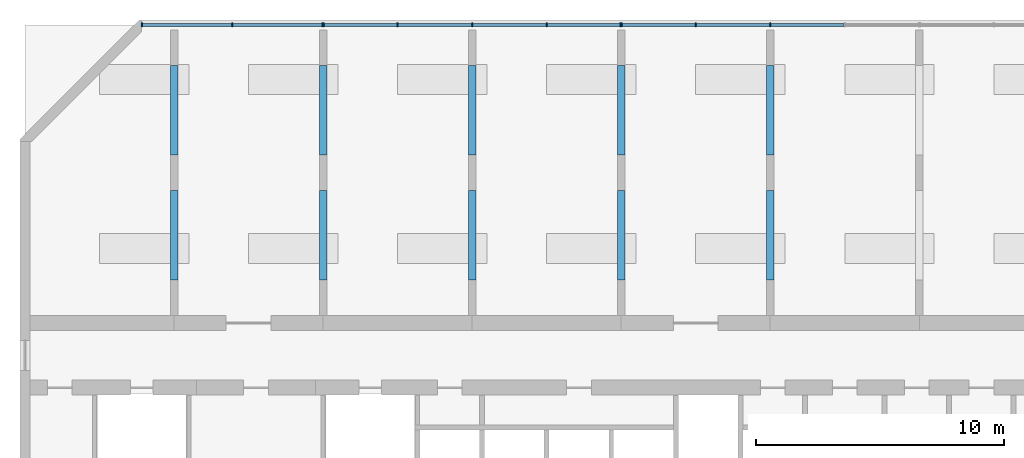
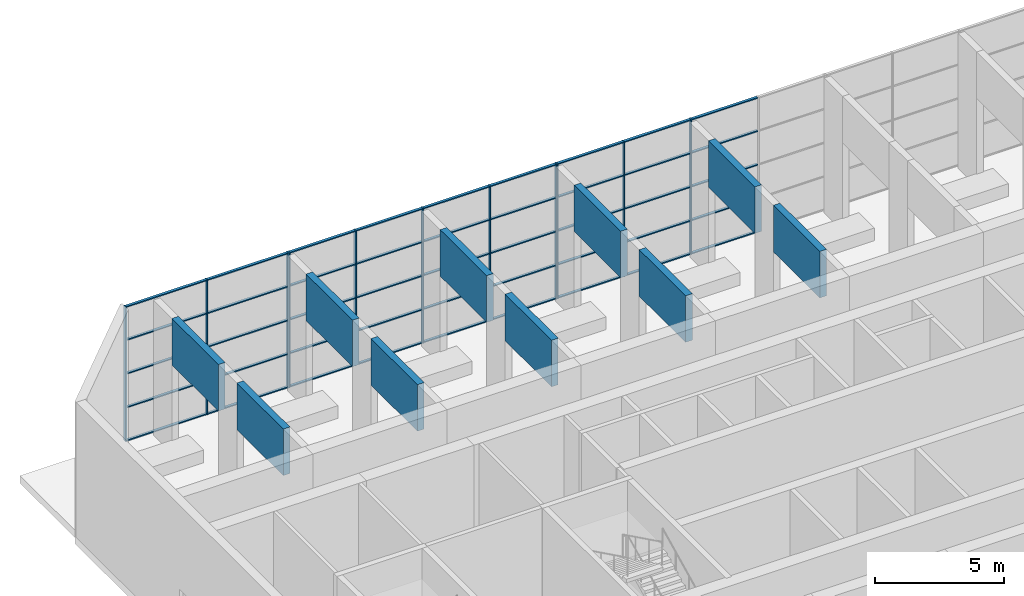
# One storey, part 1 of 13: 56 members, 10 beams, 3 elements without a shape of their own.
"""IFC4 building model written with IfcOpenShell, lengths in metres."""

from ifc_helpers import new_model, si_unit, direction, frame, origin, origin_2d, place, context, subcontext, project, spatial, rectangle, extrude, source, transform, mapped, material, layer, layer_set, material_profile, profile_set, type_object, element, aggregate, save


model = new_model("IFC4")

# Units and contexts
model_context = context("Model", 3, precision=1e-05, world=origin(), true_north=direction((0.0, 1.0)))
body_context = subcontext(model_context, "Body", "Model", "MODEL_VIEW")
ifc_project = project(units=[si_unit("LENGTHUNIT", "METRE"), si_unit("AREAUNIT", "SQUARE_METRE"), si_unit("VOLUMEUNIT", "CUBIC_METRE"), si_unit("PLANEANGLEUNIT", "RADIAN"), si_unit("MASSUNIT", "GRAM", prefix="KILO")], contexts=[model_context])

# Site, building, storey
site_placement = place(None, origin())
site = spatial("IfcSite", under=ifc_project, at=site_placement, CompositionType="ELEMENT")
building_placement = place(site_placement, origin())
building = spatial("IfcBuilding", under=site, at=building_placement, Name="Poui Terraces", CompositionType="ELEMENT")
storey_placement = place(building_placement, frame((0.0, 0.0, 165.300048828125)))
storey = spatial("IfcBuildingStorey", under=building, at=storey_placement, Name="L46", CompositionType="ELEMENT", Elevation=165.300048828125)

# Curtain wall, members
ifc_material_1 = material(Name="Clear glass", Category="glass")
ifc_layer = layer(ifc_material_1, 0.159912109375)
ifc_layer_set = layer_set([ifc_layer], Name="Clear glass")
curtain_wall_type = type_object("IfcCurtainWallType", Name="CURTAIN WALL CW-D SKY GARDEN GLAZING", PredefinedType="NOTDEFINED", material=ifc_layer_set)
curtain_wall_1_placement = place(storey_placement, origin())
curtain_wall_1 = element("IfcCurtainWall", 1, at=curtain_wall_1_placement, inside=storey, type_object=curtain_wall_type, Name="CW-D SKY GARDEN GLAZING", PredefinedType="NOTDEFINED")
ifc_material_2 = material(Name="Aluminium frame", Category="aluminium")
ifc_material_profile_1 = material_profile(ifc_material_2, rectangle(XDim=0.159912109375, YDim=0.050048828125, at=origin_2d()), Name="CW-D MULLION 50X160")
ifc_profile_set_1 = profile_set([ifc_material_profile_1], Name="Aluminium frame")
member_type_1 = type_object("IfcMemberType", Name="CW-D MULLION 50X160", PredefinedType="MULLION", material=ifc_profile_set_1)
member_1_placement = place(storey_placement, frame((29.97509765625, 42.39990234375, 0.0), z_axis=(0.0, 0.0, 1.0), x_axis=(0.0, -1.0, 0.0)))
member_1 = element("IfcMember", 2, at=member_1_placement, type_object=member_type_1, Name="CW-D mullion 1", PredefinedType="MULLION", context=body_context, shape_type="SweptSolid", body=[
    extrude(rectangle(XDim=0.159912109375, YDim=0.050048828125, at=origin_2d()), origin(), (0.0, 0.0, 1.0), 6.3798828125),
])
member_2_placement = place(storey_placement, frame((26.34130859375, 42.39990234375, 0.0), z_axis=(0.0, 0.0, 1.0), x_axis=(0.0, -1.0, 0.0)))
member_2 = element("IfcMember", 3, at=member_2_placement, type_object=member_type_1, Name="CW-D mullion 2", PredefinedType="MULLION", context=body_context, shape_type="SweptSolid", body=[
    extrude(rectangle(XDim=0.159912109375, YDim=0.050048828125, at=origin_2d()), origin(), (0.0, 0.0, 1.0), 6.3798828125),
])
member_3_placement = place(storey_placement, frame((22.707763671875, 42.39990234375, 0.0), z_axis=(0.0, 0.0, 1.0), x_axis=(0.0, -1.0, 0.0)))
member_3 = element("IfcMember", 4, at=member_3_placement, type_object=member_type_1, Name="CW-D mullion 3", PredefinedType="MULLION", context=body_context, shape_type="SweptSolid", body=[
    extrude(rectangle(XDim=0.159912109375, YDim=0.050048828125, at=origin_2d()), origin(), (0.0, 0.0, 1.0), 6.3798828125),
])

curtain_wall_2_placement = place(storey_placement, origin())
curtain_wall_2 = element("IfcCurtainWall", 5, at=curtain_wall_2_placement, inside=storey, type_object=curtain_wall_type, Name="CW-D SKY GARDEN GLAZING", PredefinedType="NOTDEFINED")
member_4_placement = place(storey_placement, frame((41.97509765625, 42.39990234375, 0.0), z_axis=(0.0, 0.0, 1.0), x_axis=(0.0, -1.0, 0.0)))
member_4 = element("IfcMember", 6, at=member_4_placement, type_object=member_type_1, Name="CW-D mullion 1", PredefinedType="MULLION", context=body_context, shape_type="SweptSolid", body=[
    extrude(rectangle(XDim=0.159912109375, YDim=0.050048828125, at=origin_2d()), origin(), (0.0, 0.0, 1.0), 6.3798828125),
])
member_5_placement = place(storey_placement, frame((39.0, 42.39990234375, 0.0), z_axis=(0.0, 0.0, 1.0), x_axis=(0.0, -1.0, 0.0)))
member_5 = element("IfcMember", 7, at=member_5_placement, type_object=member_type_1, Name="CW-D mullion 2", PredefinedType="MULLION", context=body_context, shape_type="SweptSolid", body=[
    extrude(rectangle(XDim=0.159912109375, YDim=0.050048828125, at=origin_2d()), origin(), (0.0, 0.0, 1.0), 6.3798828125),
])
member_6_placement = place(storey_placement, frame((36.0, 42.39990234375, 0.0), z_axis=(0.0, 0.0, 1.0), x_axis=(0.0, -1.0, 0.0)))
member_6 = element("IfcMember", 8, at=member_6_placement, type_object=member_type_1, Name="CW-D mullion 3", PredefinedType="MULLION", context=body_context, shape_type="SweptSolid", body=[
    extrude(rectangle(XDim=0.159912109375, YDim=0.050048828125, at=origin_2d()), origin(), (0.0, 0.0, 1.0), 6.3798828125),
])
member_7_placement = place(storey_placement, frame((33.0, 42.39990234375, 0.0), z_axis=(0.0, 0.0, 1.0), x_axis=(0.0, -1.0, 0.0)))
member_7 = element("IfcMember", 9, at=member_7_placement, type_object=member_type_1, Name="CW-D mullion 4", PredefinedType="MULLION", context=body_context, shape_type="SweptSolid", body=[
    extrude(rectangle(XDim=0.159912109375, YDim=0.050048828125, at=origin_2d()), origin(), (0.0, 0.0, 1.0), 6.3798828125),
])
member_8_placement = place(storey_placement, frame((30.02490234375, 42.39990234375, 0.0), z_axis=(0.0, 0.0, 1.0), x_axis=(0.0, -1.0, 0.0)))
member_8 = element("IfcMember", 10, at=member_8_placement, type_object=member_type_1, Name="CW-D mullion 5", PredefinedType="MULLION", context=body_context, shape_type="SweptSolid", body=[
    extrude(rectangle(XDim=0.159912109375, YDim=0.050048828125, at=origin_2d()), origin(), (0.0, 0.0, 1.0), 6.3798828125),
])

curtain_wall_3_placement = place(storey_placement, origin())
curtain_wall_3 = element("IfcCurtainWall", 11, at=curtain_wall_3_placement, inside=storey, type_object=curtain_wall_type, Name="CW-D SKY GARDEN GLAZING", PredefinedType="NOTDEFINED")
member_9_placement = place(storey_placement, frame((48.0, 42.39990234375, 0.0), z_axis=(0.0, 0.0, 1.0), x_axis=(0.0, -1.0, 0.0)))
member_9 = element("IfcMember", 12, at=member_9_placement, type_object=member_type_1, Name="CW-D mullion 3", PredefinedType="MULLION", context=body_context, shape_type="SweptSolid", body=[
    extrude(rectangle(XDim=0.159912109375, YDim=0.050048828125, at=origin_2d()), origin(), (0.0, 0.0, 1.0), 6.3798828125),
])
member_10_placement = place(storey_placement, frame((45.0, 42.39990234375, 0.0), z_axis=(0.0, 0.0, 1.0), x_axis=(0.0, -1.0, 0.0)))
member_10 = element("IfcMember", 13, at=member_10_placement, type_object=member_type_1, Name="CW-D mullion 4", PredefinedType="MULLION", context=body_context, shape_type="SweptSolid", body=[
    extrude(rectangle(XDim=0.159912109375, YDim=0.050048828125, at=origin_2d()), origin(), (0.0, 0.0, 1.0), 6.3798828125),
])
member_11_placement = place(storey_placement, frame((42.02490234375, 42.39990234375, 0.0), z_axis=(0.0, 0.0, 1.0), x_axis=(0.0, -1.0, 0.0)))
member_11 = element("IfcMember", 14, at=member_11_placement, type_object=member_type_1, Name="CW-D mullion 5", PredefinedType="MULLION", context=body_context, shape_type="SweptSolid", body=[
    extrude(rectangle(XDim=0.159912109375, YDim=0.050048828125, at=origin_2d()), origin(), (0.0, 0.0, 1.0), 6.3798828125),
])

# Member
ifc_material_profile_2 = material_profile(ifc_material_2, rectangle(XDim=0.1201171875, YDim=0.050048828125, at=origin_2d()), Name="CW-D TRANSOM 50X120")
ifc_profile_set_2 = profile_set([ifc_material_profile_2], Name="Aluminium frame")
member_type_2 = type_object("IfcMemberType", Name="CW-D TRANSOM 50X120", PredefinedType="USERDEFINED", material=ifc_profile_set_2)
member_12_placement = place(storey_placement, frame((29.949951171875, 42.39990234375, 0.02490234375), z_axis=(-1.0, 0.0, 0.0), x_axis=(0.0, -1.0, 0.0)))
member_12 = element("IfcMember", 15, at=member_12_placement, type_object=member_type_2, Name="CW-D transom 1.1", ObjectType="TRANSOM", PredefinedType="USERDEFINED", context=body_context, shape_type="SweptSolid", body=[
    extrude(rectangle(XDim=0.1201171875, YDim=0.050048828125, at=origin_2d()), origin(), (0.0, 0.0, 1.0), 3.58349609375),
])

member_13_placement = place(storey_placement, frame((29.949951171875, 42.39990234375, 1.594970703125), z_axis=(-1.0, 0.0, 0.0), x_axis=(0.0, -1.0, 0.0)))
member_13 = element("IfcMember", 16, at=member_13_placement, type_object=member_type_2, Name="CW-D transom 1.2", ObjectType="TRANSOM", PredefinedType="USERDEFINED", context=body_context, shape_type="SweptSolid", body=[
    extrude(rectangle(XDim=0.1201171875, YDim=0.050048828125, at=origin_2d()), origin(), (0.0, 0.0, 1.0), 3.58349609375),
])

member_14_placement = place(storey_placement, frame((29.949951171875, 42.39990234375, 3.18994140625), z_axis=(-1.0, 0.0, 0.0), x_axis=(0.0, -1.0, 0.0)))
member_14 = element("IfcMember", 17, at=member_14_placement, type_object=member_type_2, Name="CW-D transom 1.3", ObjectType="TRANSOM", PredefinedType="USERDEFINED", context=body_context, shape_type="SweptSolid", body=[
    extrude(rectangle(XDim=0.1201171875, YDim=0.050048828125, at=origin_2d()), origin(), (0.0, 0.0, 1.0), 3.58349609375),
])

member_15_placement = place(storey_placement, frame((29.949951171875, 42.39990234375, 4.784912109375), z_axis=(-1.0, 0.0, 0.0), x_axis=(0.0, -1.0, 0.0)))
member_15 = element("IfcMember", 18, at=member_15_placement, type_object=member_type_2, Name="CW-D transom 1.4", ObjectType="TRANSOM", PredefinedType="USERDEFINED", context=body_context, shape_type="SweptSolid", body=[
    extrude(rectangle(XDim=0.1201171875, YDim=0.050048828125, at=origin_2d()), origin(), (0.0, 0.0, 1.0), 3.58349609375),
])

member_16_placement = place(storey_placement, frame((29.949951171875, 42.39990234375, 6.35498046875), z_axis=(-1.0, 0.0, 0.0), x_axis=(0.0, -1.0, 0.0)))
member_16 = element("IfcMember", 19, at=member_16_placement, type_object=member_type_2, Name="CW-D transom 1.5", ObjectType="TRANSOM", PredefinedType="USERDEFINED", context=body_context, shape_type="SweptSolid", body=[
    extrude(rectangle(XDim=0.1201171875, YDim=0.050048828125, at=origin_2d()), origin(), (0.0, 0.0, 1.0), 3.58349609375),
])

member_17_placement = place(storey_placement, frame((26.31640625, 42.39990234375, 0.02490234375), z_axis=(-1.0, 0.0, 0.0), x_axis=(0.0, -1.0, 0.0)))
member_17 = element("IfcMember", 20, at=member_17_placement, type_object=member_type_2, Name="CW-D transom 2.1", ObjectType="TRANSOM", PredefinedType="USERDEFINED", context=body_context, shape_type="SweptSolid", body=[
    extrude(rectangle(XDim=0.1201171875, YDim=0.050048828125, at=origin_2d()), origin(), (0.0, 0.0, 1.0), 3.58349609375),
])

member_18_placement = place(storey_placement, frame((26.31640625, 42.39990234375, 1.594970703125), z_axis=(-1.0, 0.0, 0.0), x_axis=(0.0, -1.0, 0.0)))
member_18 = element("IfcMember", 21, at=member_18_placement, type_object=member_type_2, Name="CW-D transom 2.2", ObjectType="TRANSOM", PredefinedType="USERDEFINED", context=body_context, shape_type="SweptSolid", body=[
    extrude(rectangle(XDim=0.1201171875, YDim=0.050048828125, at=origin_2d()), origin(), (0.0, 0.0, 1.0), 3.58349609375),
])

member_19_placement = place(storey_placement, frame((26.31640625, 42.39990234375, 3.18994140625), z_axis=(-1.0, 0.0, 0.0), x_axis=(0.0, -1.0, 0.0)))
member_19 = element("IfcMember", 22, at=member_19_placement, type_object=member_type_2, Name="CW-D transom 2.3", ObjectType="TRANSOM", PredefinedType="USERDEFINED", context=body_context, shape_type="SweptSolid", body=[
    extrude(rectangle(XDim=0.1201171875, YDim=0.050048828125, at=origin_2d()), origin(), (0.0, 0.0, 1.0), 3.58349609375),
])

member_20_placement = place(storey_placement, frame((26.31640625, 42.39990234375, 4.784912109375), z_axis=(-1.0, 0.0, 0.0), x_axis=(0.0, -1.0, 0.0)))
member_20 = element("IfcMember", 23, at=member_20_placement, type_object=member_type_2, Name="CW-D transom 2.4", ObjectType="TRANSOM", PredefinedType="USERDEFINED", context=body_context, shape_type="SweptSolid", body=[
    extrude(rectangle(XDim=0.1201171875, YDim=0.050048828125, at=origin_2d()), origin(), (0.0, 0.0, 1.0), 3.58349609375),
])

member_21_placement = place(storey_placement, frame((26.31640625, 42.39990234375, 6.35498046875), z_axis=(-1.0, 0.0, 0.0), x_axis=(0.0, -1.0, 0.0)))
member_21 = element("IfcMember", 24, at=member_21_placement, type_object=member_type_2, Name="CW-D transom 2.5", ObjectType="TRANSOM", PredefinedType="USERDEFINED", context=body_context, shape_type="SweptSolid", body=[
    extrude(rectangle(XDim=0.1201171875, YDim=0.050048828125, at=origin_2d()), origin(), (0.0, 0.0, 1.0), 3.58349609375),
])

aggregate(curtain_wall_1, [member_1, member_2, member_3, member_12, member_13, member_14, member_15, member_16, member_17, member_18, member_19, member_20, member_21])

member_22_placement = place(storey_placement, frame((41.949951171875, 42.39990234375, 0.02490234375), z_axis=(-1.0, 0.0, 0.0), x_axis=(0.0, -1.0, 0.0)))
member_22 = element("IfcMember", 25, at=member_22_placement, type_object=member_type_2, Name="CW-D transom 1.1", ObjectType="TRANSOM", PredefinedType="USERDEFINED", context=body_context, shape_type="SweptSolid", body=[
    extrude(rectangle(XDim=0.1201171875, YDim=0.050048828125, at=origin_2d()), origin(), (0.0, 0.0, 1.0), 2.925048828125),
])

member_23_placement = place(storey_placement, frame((41.949951171875, 42.39990234375, 1.594970703125), z_axis=(-1.0, 0.0, 0.0), x_axis=(0.0, -1.0, 0.0)))
member_23 = element("IfcMember", 26, at=member_23_placement, type_object=member_type_2, Name="CW-D transom 1.2", ObjectType="TRANSOM", PredefinedType="USERDEFINED", context=body_context, shape_type="SweptSolid", body=[
    extrude(rectangle(XDim=0.1201171875, YDim=0.050048828125, at=origin_2d()), origin(), (0.0, 0.0, 1.0), 2.925048828125),
])

member_24_placement = place(storey_placement, frame((41.949951171875, 42.39990234375, 3.18994140625), z_axis=(-1.0, 0.0, 0.0), x_axis=(0.0, -1.0, 0.0)))
member_24 = element("IfcMember", 27, at=member_24_placement, type_object=member_type_2, Name="CW-D transom 1.3", ObjectType="TRANSOM", PredefinedType="USERDEFINED", context=body_context, shape_type="SweptSolid", body=[
    extrude(rectangle(XDim=0.1201171875, YDim=0.050048828125, at=origin_2d()), origin(), (0.0, 0.0, 1.0), 2.925048828125),
])

member_25_placement = place(storey_placement, frame((41.949951171875, 42.39990234375, 4.784912109375), z_axis=(-1.0, 0.0, 0.0), x_axis=(0.0, -1.0, 0.0)))
member_25 = element("IfcMember", 28, at=member_25_placement, type_object=member_type_2, Name="CW-D transom 1.4", ObjectType="TRANSOM", PredefinedType="USERDEFINED", context=body_context, shape_type="SweptSolid", body=[
    extrude(rectangle(XDim=0.1201171875, YDim=0.050048828125, at=origin_2d()), origin(), (0.0, 0.0, 1.0), 2.925048828125),
])

member_26_placement = place(storey_placement, frame((41.949951171875, 42.39990234375, 6.35498046875), z_axis=(-1.0, 0.0, 0.0), x_axis=(0.0, -1.0, 0.0)))
member_26 = element("IfcMember", 29, at=member_26_placement, type_object=member_type_2, Name="CW-D transom 1.5", ObjectType="TRANSOM", PredefinedType="USERDEFINED", context=body_context, shape_type="SweptSolid", body=[
    extrude(rectangle(XDim=0.1201171875, YDim=0.050048828125, at=origin_2d()), origin(), (0.0, 0.0, 1.0), 2.925048828125),
])

member_27_placement = place(storey_placement, frame((38.97509765625, 42.39990234375, 0.02490234375), z_axis=(-1.0, 0.0, 0.0), x_axis=(0.0, -1.0, 0.0)))
member_27 = element("IfcMember", 30, at=member_27_placement, type_object=member_type_2, Name="CW-D transom 2.1", ObjectType="TRANSOM", PredefinedType="USERDEFINED", context=body_context, shape_type="SweptSolid", body=[
    extrude(rectangle(XDim=0.1201171875, YDim=0.050048828125, at=origin_2d()), origin(), (0.0, 0.0, 1.0), 2.9501953125),
])

member_28_placement = place(storey_placement, frame((38.97509765625, 42.39990234375, 1.594970703125), z_axis=(-1.0, 0.0, 0.0), x_axis=(0.0, -1.0, 0.0)))
member_28 = element("IfcMember", 31, at=member_28_placement, type_object=member_type_2, Name="CW-D transom 2.2", ObjectType="TRANSOM", PredefinedType="USERDEFINED", context=body_context, shape_type="SweptSolid", body=[
    extrude(rectangle(XDim=0.1201171875, YDim=0.050048828125, at=origin_2d()), origin(), (0.0, 0.0, 1.0), 2.9501953125),
])

member_29_placement = place(storey_placement, frame((38.97509765625, 42.39990234375, 3.18994140625), z_axis=(-1.0, 0.0, 0.0), x_axis=(0.0, -1.0, 0.0)))
member_29 = element("IfcMember", 32, at=member_29_placement, type_object=member_type_2, Name="CW-D transom 2.3", ObjectType="TRANSOM", PredefinedType="USERDEFINED", context=body_context, shape_type="SweptSolid", body=[
    extrude(rectangle(XDim=0.1201171875, YDim=0.050048828125, at=origin_2d()), origin(), (0.0, 0.0, 1.0), 2.9501953125),
])

member_30_placement = place(storey_placement, frame((38.97509765625, 42.39990234375, 4.784912109375), z_axis=(-1.0, 0.0, 0.0), x_axis=(0.0, -1.0, 0.0)))
member_30 = element("IfcMember", 33, at=member_30_placement, type_object=member_type_2, Name="CW-D transom 2.4", ObjectType="TRANSOM", PredefinedType="USERDEFINED", context=body_context, shape_type="SweptSolid", body=[
    extrude(rectangle(XDim=0.1201171875, YDim=0.050048828125, at=origin_2d()), origin(), (0.0, 0.0, 1.0), 2.9501953125),
])

member_31_placement = place(storey_placement, frame((38.97509765625, 42.39990234375, 6.35498046875), z_axis=(-1.0, 0.0, 0.0), x_axis=(0.0, -1.0, 0.0)))
member_31 = element("IfcMember", 34, at=member_31_placement, type_object=member_type_2, Name="CW-D transom 2.5", ObjectType="TRANSOM", PredefinedType="USERDEFINED", context=body_context, shape_type="SweptSolid", body=[
    extrude(rectangle(XDim=0.1201171875, YDim=0.050048828125, at=origin_2d()), origin(), (0.0, 0.0, 1.0), 2.9501953125),
])

member_32_placement = place(storey_placement, frame((35.97509765625, 42.39990234375, 0.02490234375), z_axis=(-1.0, 0.0, 0.0), x_axis=(0.0, -1.0, 0.0)))
member_32 = element("IfcMember", 35, at=member_32_placement, type_object=member_type_2, Name="CW-D transom 3.1", ObjectType="TRANSOM", PredefinedType="USERDEFINED", context=body_context, shape_type="SweptSolid", body=[
    extrude(rectangle(XDim=0.1201171875, YDim=0.050048828125, at=origin_2d()), origin(), (0.0, 0.0, 1.0), 2.9501953125),
])

member_33_placement = place(storey_placement, frame((35.97509765625, 42.39990234375, 1.594970703125), z_axis=(-1.0, 0.0, 0.0), x_axis=(0.0, -1.0, 0.0)))
member_33 = element("IfcMember", 36, at=member_33_placement, type_object=member_type_2, Name="CW-D transom 3.2", ObjectType="TRANSOM", PredefinedType="USERDEFINED", context=body_context, shape_type="SweptSolid", body=[
    extrude(rectangle(XDim=0.1201171875, YDim=0.050048828125, at=origin_2d()), origin(), (0.0, 0.0, 1.0), 2.9501953125),
])

member_34_placement = place(storey_placement, frame((35.97509765625, 42.39990234375, 3.18994140625), z_axis=(-1.0, 0.0, 0.0), x_axis=(0.0, -1.0, 0.0)))
member_34 = element("IfcMember", 37, at=member_34_placement, type_object=member_type_2, Name="CW-D transom 3.3", ObjectType="TRANSOM", PredefinedType="USERDEFINED", context=body_context, shape_type="SweptSolid", body=[
    extrude(rectangle(XDim=0.1201171875, YDim=0.050048828125, at=origin_2d()), origin(), (0.0, 0.0, 1.0), 2.9501953125),
])

member_35_placement = place(storey_placement, frame((35.97509765625, 42.39990234375, 4.784912109375), z_axis=(-1.0, 0.0, 0.0), x_axis=(0.0, -1.0, 0.0)))
member_35 = element("IfcMember", 38, at=member_35_placement, type_object=member_type_2, Name="CW-D transom 3.4", ObjectType="TRANSOM", PredefinedType="USERDEFINED", context=body_context, shape_type="SweptSolid", body=[
    extrude(rectangle(XDim=0.1201171875, YDim=0.050048828125, at=origin_2d()), origin(), (0.0, 0.0, 1.0), 2.9501953125),
])

member_36_placement = place(storey_placement, frame((35.97509765625, 42.39990234375, 6.35498046875), z_axis=(-1.0, 0.0, 0.0), x_axis=(0.0, -1.0, 0.0)))
member_36 = element("IfcMember", 39, at=member_36_placement, type_object=member_type_2, Name="CW-D transom 3.5", ObjectType="TRANSOM", PredefinedType="USERDEFINED", context=body_context, shape_type="SweptSolid", body=[
    extrude(rectangle(XDim=0.1201171875, YDim=0.050048828125, at=origin_2d()), origin(), (0.0, 0.0, 1.0), 2.9501953125),
])

member_37_placement = place(storey_placement, frame((32.97509765625, 42.39990234375, 0.02490234375), z_axis=(-1.0, 0.0, 0.0), x_axis=(0.0, -1.0, 0.0)))
member_37 = element("IfcMember", 40, at=member_37_placement, type_object=member_type_2, Name="CW-D transom 4.1", ObjectType="TRANSOM", PredefinedType="USERDEFINED", context=body_context, shape_type="SweptSolid", body=[
    extrude(rectangle(XDim=0.1201171875, YDim=0.050048828125, at=origin_2d()), origin(), (0.0, 0.0, 1.0), 2.925048828125),
])

member_38_placement = place(storey_placement, frame((32.97509765625, 42.39990234375, 1.594970703125), z_axis=(-1.0, 0.0, 0.0), x_axis=(0.0, -1.0, 0.0)))
member_38 = element("IfcMember", 41, at=member_38_placement, type_object=member_type_2, Name="CW-D transom 4.2", ObjectType="TRANSOM", PredefinedType="USERDEFINED", context=body_context, shape_type="SweptSolid", body=[
    extrude(rectangle(XDim=0.1201171875, YDim=0.050048828125, at=origin_2d()), origin(), (0.0, 0.0, 1.0), 2.925048828125),
])

member_39_placement = place(storey_placement, frame((32.97509765625, 42.39990234375, 3.18994140625), z_axis=(-1.0, 0.0, 0.0), x_axis=(0.0, -1.0, 0.0)))
member_39 = element("IfcMember", 42, at=member_39_placement, type_object=member_type_2, Name="CW-D transom 4.3", ObjectType="TRANSOM", PredefinedType="USERDEFINED", context=body_context, shape_type="SweptSolid", body=[
    extrude(rectangle(XDim=0.1201171875, YDim=0.050048828125, at=origin_2d()), origin(), (0.0, 0.0, 1.0), 2.925048828125),
])

member_40_placement = place(storey_placement, frame((32.97509765625, 42.39990234375, 4.784912109375), z_axis=(-1.0, 0.0, 0.0), x_axis=(0.0, -1.0, 0.0)))
member_40 = element("IfcMember", 43, at=member_40_placement, type_object=member_type_2, Name="CW-D transom 4.4", ObjectType="TRANSOM", PredefinedType="USERDEFINED", context=body_context, shape_type="SweptSolid", body=[
    extrude(rectangle(XDim=0.1201171875, YDim=0.050048828125, at=origin_2d()), origin(), (0.0, 0.0, 1.0), 2.925048828125),
])

member_41_placement = place(storey_placement, frame((32.97509765625, 42.39990234375, 6.35498046875), z_axis=(-1.0, 0.0, 0.0), x_axis=(0.0, -1.0, 0.0)))
member_41 = element("IfcMember", 44, at=member_41_placement, type_object=member_type_2, Name="CW-D transom 4.5", ObjectType="TRANSOM", PredefinedType="USERDEFINED", context=body_context, shape_type="SweptSolid", body=[
    extrude(rectangle(XDim=0.1201171875, YDim=0.050048828125, at=origin_2d()), origin(), (0.0, 0.0, 1.0), 2.925048828125),
])

aggregate(curtain_wall_2, [member_4, member_5, member_6, member_7, member_8, member_22, member_23, member_24, member_25, member_26, member_27, member_28, member_29, member_30, member_31, member_32, member_33, member_34, member_35, member_36, member_37, member_38, member_39, member_40, member_41])

member_42_placement = place(storey_placement, frame((50.97509765625, 42.39990234375, 0.02490234375), z_axis=(-1.0, 0.0, 0.0), x_axis=(0.0, -1.0, 0.0)))
member_42 = element("IfcMember", 45, at=member_42_placement, type_object=member_type_2, Name="CW-D transom 2.1", ObjectType="TRANSOM", PredefinedType="USERDEFINED", context=body_context, shape_type="SweptSolid", body=[
    extrude(rectangle(XDim=0.1201171875, YDim=0.050048828125, at=origin_2d()), origin(), (0.0, 0.0, 1.0), 2.9501953125),
])

member_43_placement = place(storey_placement, frame((50.97509765625, 42.39990234375, 1.594970703125), z_axis=(-1.0, 0.0, 0.0), x_axis=(0.0, -1.0, 0.0)))
member_43 = element("IfcMember", 46, at=member_43_placement, type_object=member_type_2, Name="CW-D transom 2.2", ObjectType="TRANSOM", PredefinedType="USERDEFINED", context=body_context, shape_type="SweptSolid", body=[
    extrude(rectangle(XDim=0.1201171875, YDim=0.050048828125, at=origin_2d()), origin(), (0.0, 0.0, 1.0), 2.9501953125),
])

member_44_placement = place(storey_placement, frame((50.97509765625, 42.39990234375, 3.18994140625), z_axis=(-1.0, 0.0, 0.0), x_axis=(0.0, -1.0, 0.0)))
member_44 = element("IfcMember", 47, at=member_44_placement, type_object=member_type_2, Name="CW-D transom 2.3", ObjectType="TRANSOM", PredefinedType="USERDEFINED", context=body_context, shape_type="SweptSolid", body=[
    extrude(rectangle(XDim=0.1201171875, YDim=0.050048828125, at=origin_2d()), origin(), (0.0, 0.0, 1.0), 2.9501953125),
])

member_45_placement = place(storey_placement, frame((50.97509765625, 42.39990234375, 4.784912109375), z_axis=(-1.0, 0.0, 0.0), x_axis=(0.0, -1.0, 0.0)))
member_45 = element("IfcMember", 48, at=member_45_placement, type_object=member_type_2, Name="CW-D transom 2.4", ObjectType="TRANSOM", PredefinedType="USERDEFINED", context=body_context, shape_type="SweptSolid", body=[
    extrude(rectangle(XDim=0.1201171875, YDim=0.050048828125, at=origin_2d()), origin(), (0.0, 0.0, 1.0), 2.9501953125),
])

member_46_placement = place(storey_placement, frame((50.97509765625, 42.39990234375, 6.35498046875), z_axis=(-1.0, 0.0, 0.0), x_axis=(0.0, -1.0, 0.0)))
member_46 = element("IfcMember", 49, at=member_46_placement, type_object=member_type_2, Name="CW-D transom 2.5", ObjectType="TRANSOM", PredefinedType="USERDEFINED", context=body_context, shape_type="SweptSolid", body=[
    extrude(rectangle(XDim=0.1201171875, YDim=0.050048828125, at=origin_2d()), origin(), (0.0, 0.0, 1.0), 2.9501953125),
])

member_47_placement = place(storey_placement, frame((47.97509765625, 42.39990234375, 0.02490234375), z_axis=(-1.0, 0.0, 0.0), x_axis=(0.0, -1.0, 0.0)))
member_47 = element("IfcMember", 50, at=member_47_placement, type_object=member_type_2, Name="CW-D transom 3.1", ObjectType="TRANSOM", PredefinedType="USERDEFINED", context=body_context, shape_type="SweptSolid", body=[
    extrude(rectangle(XDim=0.1201171875, YDim=0.050048828125, at=origin_2d()), origin(), (0.0, 0.0, 1.0), 2.9501953125),
])

member_48_placement = place(storey_placement, frame((47.97509765625, 42.39990234375, 1.594970703125), z_axis=(-1.0, 0.0, 0.0), x_axis=(0.0, -1.0, 0.0)))
member_48 = element("IfcMember", 51, at=member_48_placement, type_object=member_type_2, Name="CW-D transom 3.2", ObjectType="TRANSOM", PredefinedType="USERDEFINED", context=body_context, shape_type="SweptSolid", body=[
    extrude(rectangle(XDim=0.1201171875, YDim=0.050048828125, at=origin_2d()), origin(), (0.0, 0.0, 1.0), 2.9501953125),
])

member_49_placement = place(storey_placement, frame((47.97509765625, 42.39990234375, 3.18994140625), z_axis=(-1.0, 0.0, 0.0), x_axis=(0.0, -1.0, 0.0)))
member_49 = element("IfcMember", 52, at=member_49_placement, type_object=member_type_2, Name="CW-D transom 3.3", ObjectType="TRANSOM", PredefinedType="USERDEFINED", context=body_context, shape_type="SweptSolid", body=[
    extrude(rectangle(XDim=0.1201171875, YDim=0.050048828125, at=origin_2d()), origin(), (0.0, 0.0, 1.0), 2.9501953125),
])

member_50_placement = place(storey_placement, frame((47.97509765625, 42.39990234375, 4.784912109375), z_axis=(-1.0, 0.0, 0.0), x_axis=(0.0, -1.0, 0.0)))
member_50 = element("IfcMember", 53, at=member_50_placement, type_object=member_type_2, Name="CW-D transom 3.4", ObjectType="TRANSOM", PredefinedType="USERDEFINED", context=body_context, shape_type="SweptSolid", body=[
    extrude(rectangle(XDim=0.1201171875, YDim=0.050048828125, at=origin_2d()), origin(), (0.0, 0.0, 1.0), 2.9501953125),
])

member_51_placement = place(storey_placement, frame((47.97509765625, 42.39990234375, 6.35498046875), z_axis=(-1.0, 0.0, 0.0), x_axis=(0.0, -1.0, 0.0)))
member_51 = element("IfcMember", 54, at=member_51_placement, type_object=member_type_2, Name="CW-D transom 3.5", ObjectType="TRANSOM", PredefinedType="USERDEFINED", context=body_context, shape_type="SweptSolid", body=[
    extrude(rectangle(XDim=0.1201171875, YDim=0.050048828125, at=origin_2d()), origin(), (0.0, 0.0, 1.0), 2.9501953125),
])

member_52_placement = place(storey_placement, frame((44.97509765625, 42.39990234375, 0.02490234375), z_axis=(-1.0, 0.0, 0.0), x_axis=(0.0, -1.0, 0.0)))
member_52 = element("IfcMember", 55, at=member_52_placement, type_object=member_type_2, Name="CW-D transom 4.1", ObjectType="TRANSOM", PredefinedType="USERDEFINED", context=body_context, shape_type="SweptSolid", body=[
    extrude(rectangle(XDim=0.1201171875, YDim=0.050048828125, at=origin_2d()), origin(), (0.0, 0.0, 1.0), 2.925048828125),
])

member_53_placement = place(storey_placement, frame((44.97509765625, 42.39990234375, 1.594970703125), z_axis=(-1.0, 0.0, 0.0), x_axis=(0.0, -1.0, 0.0)))
member_53 = element("IfcMember", 56, at=member_53_placement, type_object=member_type_2, Name="CW-D transom 4.2", ObjectType="TRANSOM", PredefinedType="USERDEFINED", context=body_context, shape_type="SweptSolid", body=[
    extrude(rectangle(XDim=0.1201171875, YDim=0.050048828125, at=origin_2d()), origin(), (0.0, 0.0, 1.0), 2.925048828125),
])

member_54_placement = place(storey_placement, frame((44.97509765625, 42.39990234375, 3.18994140625), z_axis=(-1.0, 0.0, 0.0), x_axis=(0.0, -1.0, 0.0)))
member_54 = element("IfcMember", 57, at=member_54_placement, type_object=member_type_2, Name="CW-D transom 4.3", ObjectType="TRANSOM", PredefinedType="USERDEFINED", context=body_context, shape_type="SweptSolid", body=[
    extrude(rectangle(XDim=0.1201171875, YDim=0.050048828125, at=origin_2d()), origin(), (0.0, 0.0, 1.0), 2.925048828125),
])

member_55_placement = place(storey_placement, frame((44.97509765625, 42.39990234375, 4.784912109375), z_axis=(-1.0, 0.0, 0.0), x_axis=(0.0, -1.0, 0.0)))
member_55 = element("IfcMember", 58, at=member_55_placement, type_object=member_type_2, Name="CW-D transom 4.4", ObjectType="TRANSOM", PredefinedType="USERDEFINED", context=body_context, shape_type="SweptSolid", body=[
    extrude(rectangle(XDim=0.1201171875, YDim=0.050048828125, at=origin_2d()), origin(), (0.0, 0.0, 1.0), 2.925048828125),
])

member_56_placement = place(storey_placement, frame((44.97509765625, 42.39990234375, 6.35498046875), z_axis=(-1.0, 0.0, 0.0), x_axis=(0.0, -1.0, 0.0)))
member_56 = element("IfcMember", 59, at=member_56_placement, type_object=member_type_2, Name="CW-D transom 4.5", ObjectType="TRANSOM", PredefinedType="USERDEFINED", context=body_context, shape_type="SweptSolid", body=[
    extrude(rectangle(XDim=0.1201171875, YDim=0.050048828125, at=origin_2d()), origin(), (0.0, 0.0, 1.0), 2.925048828125),
])

aggregate(curtain_wall_3, [member_9, member_10, member_11, member_42, member_43, member_44, member_45, member_46, member_47, member_48, member_49, member_50, member_51, member_52, member_53, member_54, member_55, member_56])

# Beams
ifc_material_3 = material(Name="Concrete 65 MPa", Category="concrete")
ifc_material_profile_3 = material_profile(ifc_material_3, rectangle(XDim=0.300048828125, YDim=2.199951171875, at=origin_2d()), Name="RC 300x2200")
ifc_profile_set_3 = profile_set([ifc_material_profile_3], Name="Concrete 65 MPa")
beam_type = type_object("IfcBeamType", Name="DEEP BEAM 300x2200 65MPa", PredefinedType="BEAM", material=ifc_profile_set_3)
shared_shape_1 = source(origin(), body_context, "Body", "SweptSolid", [
    extrude(rectangle(XDim=0.300048828125, YDim=2.199951171875, at=origin_2d()), origin(), (0.0, 0.0, 1.0), 3.60009765625),
])
for number, where, z_axis, x_axis, name in (
    (60, (24.0, 32.13330078125, 5.280029296875), (0.0, 1.0, 0.0), (-1.0, 0.0, 0.0), "DEEP BEAM LINE 5 1"),
    (61, (30.0, 32.13330078125, 5.280029296875), (0.0, 1.0, 0.0), (-1.0, 0.0, 0.0), "DEEP BEAM LINE 6 1"),
    (62, (36.0, 32.13330078125, 5.280029296875), (0.0, 1.0, 0.0), (-1.0, 0.0, 0.0), "DEEP BEAM LINE 7 1"),
    (63, (42.0, 32.13330078125, 5.280029296875), (0.0, 1.0, 0.0), (-1.0, 0.0, 0.0), "DEEP BEAM LINE 8 1"),
    (64, (48.0, 32.13330078125, 5.280029296875), (0.0, 1.0, 0.0), (-1.0, 0.0, 0.0), "DEEP BEAM LINE 9 1"),
):
    element("IfcBeam", number, at=place(storey_placement, frame(where, z_axis=z_axis, x_axis=x_axis)), inside=storey, type_object=beam_type, Name=name, PredefinedType="BEAM", context=body_context, shape_type="MappedRepresentation", body=[
        mapped(shared_shape_1, transform((0.0, 0.0, 0.0))),
    ])
shared_shape_2 = source(origin(), body_context, "Body", "SweptSolid", [
    extrude(rectangle(XDim=0.300048828125, YDim=2.199951171875, at=origin_2d()), origin(), (0.0, 0.0, 1.0), 3.599853515625),
])
for number, where, z_axis, x_axis, name in (
    (65, (24.0, 37.166748046875, 5.280029296875), (0.0, 1.0, 0.0), (-1.0, 0.0, 0.0), "DEEP BEAM LINE 5 2"),
    (66, (30.0, 37.166748046875, 5.280029296875), (0.0, 1.0, 0.0), (-1.0, 0.0, 0.0), "DEEP BEAM LINE 6 2"),
    (67, (36.0, 37.166748046875, 5.280029296875), (0.0, 1.0, 0.0), (-1.0, 0.0, 0.0), "DEEP BEAM LINE 7 2"),
    (68, (42.0, 37.166748046875, 5.280029296875), (0.0, 1.0, 0.0), (-1.0, 0.0, 0.0), "DEEP BEAM LINE 8 2"),
    (69, (48.0, 37.166748046875, 5.280029296875), (0.0, 1.0, 0.0), (-1.0, 0.0, 0.0), "DEEP BEAM LINE 9 2"),
):
    element("IfcBeam", number, at=place(storey_placement, frame(where, z_axis=z_axis, x_axis=x_axis)), inside=storey, type_object=beam_type, Name=name, PredefinedType="BEAM", context=body_context, shape_type="MappedRepresentation", body=[
        mapped(shared_shape_2, transform((0.0, 0.0, 0.0))),
    ])

save(model, "model.ifc")
